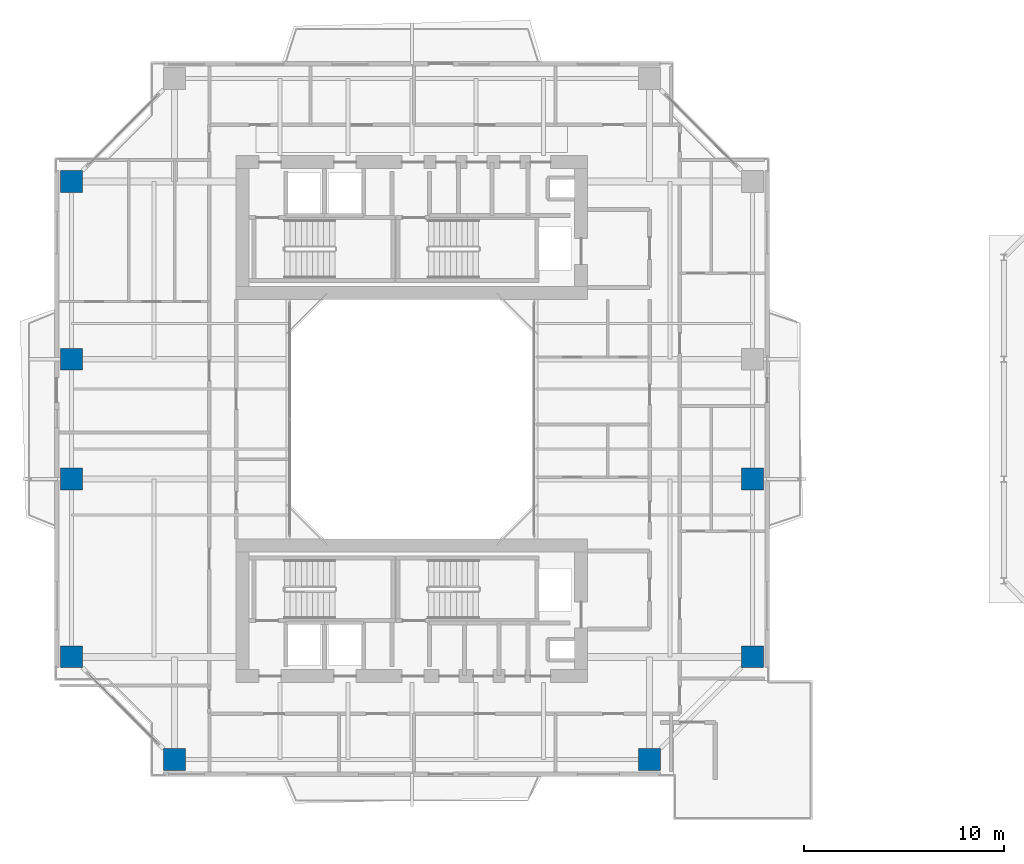
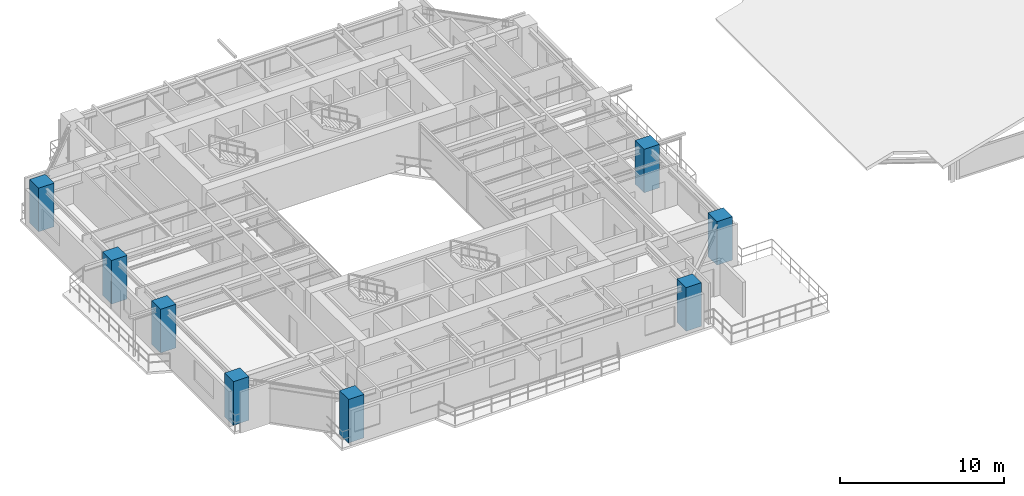
# One storey, part 1 of 28: 8 columns.
"""IFC4 building model written with IfcOpenShell, lengths in metres."""

from ifc_helpers import new_model, si_unit, direction, frame, origin, origin_2d, place, context, subcontext, project, spatial, rectangle, extrude, source, transform, mapped, material, material_profile, profile_set, type_object, element, save


model = new_model("IFC4")

# Units and contexts
model_context = context("Model", 3, precision=1e-05, world=origin(), true_north=direction((0.0, 1.0)))
body_context = subcontext(model_context, "Body", "Model", "MODEL_VIEW")
ifc_project = project(units=[si_unit("LENGTHUNIT", "METRE"), si_unit("AREAUNIT", "SQUARE_METRE"), si_unit("VOLUMEUNIT", "CUBIC_METRE"), si_unit("PLANEANGLEUNIT", "RADIAN"), si_unit("MASSUNIT", "GRAM", prefix="KILO"), si_unit("THERMODYNAMICTEMPERATUREUNIT", "KELVIN"), si_unit("POWERUNIT", "WATT")], contexts=[model_context])

# Site, building, storey
site_placement = place(None, origin())
site = spatial("IfcSite", under=ifc_project, at=site_placement, CompositionType="ELEMENT")
building_placement = place(site_placement, origin())
building = spatial("IfcBuilding", under=site, at=building_placement, Name="Qiaomeng Ring Towers", CompositionType="ELEMENT")
storey_placement = place(building_placement, frame((0.0, 0.0, 113.25)))
storey = spatial("IfcBuildingStorey", under=building, at=storey_placement, Name="L32", CompositionType="ELEMENT", Elevation=113.25)

# Columns
ifc_material = material(Name="Concrete C55", Category="concrete")
ifc_material_profile = material_profile(ifc_material, rectangle(XDim=1.10009765625, YDim=1.10009765625, at=origin_2d()), Name="RC COL 1100x1100")
ifc_profile_set = profile_set([ifc_material_profile], Name="Concrete C55")
column_type = type_object("IfcColumnType", Name="STR-COL-1100-C55", PredefinedType="COLUMN", material=ifc_profile_set)
shared_shape = source(origin(), body_context, "Body", "SweptSolid", [
    extrude(rectangle(XDim=1.10009765625, YDim=1.10009765625, at=origin_2d()), origin(), (0.0, 0.0, 1.0), 3.25),
])
for number, where, z_axis, x_axis, name in (
    (1, (7.10009765625, 5.949951171875, 0.0), (0.0, 0.0, 1.0), (1.0, 0.0, 0.0), "L32 column STR-COL-L32-T1-S1"),
    (2, (30.89990234375, 5.949951171875, 0.0), (0.0, 0.0, 1.0), (1.0, 0.0, 0.0), "L32 column STR-COL-L32-T1-S2"),
    (3, (36.050048828125, 11.10009765625, 0.0), (0.0, 0.0, 1.0), (1.0, 0.0, 0.0), "L32 column STR-COL-L32-T1-E1"),
    (4, (36.050048828125, 20.0, 0.0), (0.0, 0.0, 1.0), (1.0, 0.0, 0.0), "L32 column STR-COL-L32-T1-E2"),
    (5, (1.949951171875, 34.89990234375, 0.0), (0.0, 0.0, 1.0), (1.0, 0.0, 0.0), "L32 column STR-COL-L32-T1-W4"),
    (6, (1.949951171875, 26.0, 0.0), (0.0, 0.0, 1.0), (1.0, 0.0, 0.0), "L32 column STR-COL-L32-T1-W3"),
    (7, (1.949951171875, 20.0, 0.0), (0.0, 0.0, 1.0), (1.0, 0.0, 0.0), "L32 column STR-COL-L32-T1-W2"),
    (8, (1.949951171875, 11.10009765625, 0.0), (0.0, 0.0, 1.0), (1.0, 0.0, 0.0), "L32 column STR-COL-L32-T1-W1"),
):
    element("IfcColumn", number, at=place(storey_placement, frame(where, z_axis=z_axis, x_axis=x_axis)), inside=storey, type_object=column_type, Name=name, PredefinedType="COLUMN", context=body_context, shape_type="MappedRepresentation", body=[
        mapped(shared_shape, transform((0.0, 0.0, 0.0), x_axis=(1.0, 0.0, 0.0), y_axis=(0.0, 1.0, 0.0), z_axis=(0.0, 0.0, 1.0), scale=1.0)),
    ])

save(model, "model.ifc")
